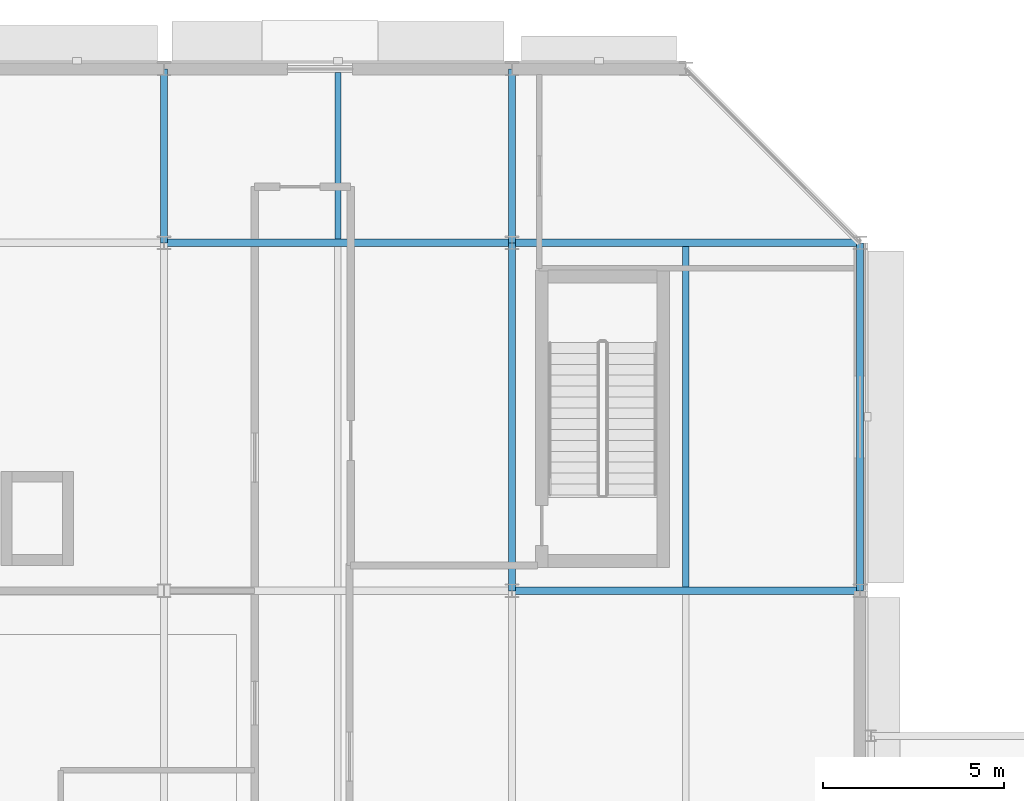
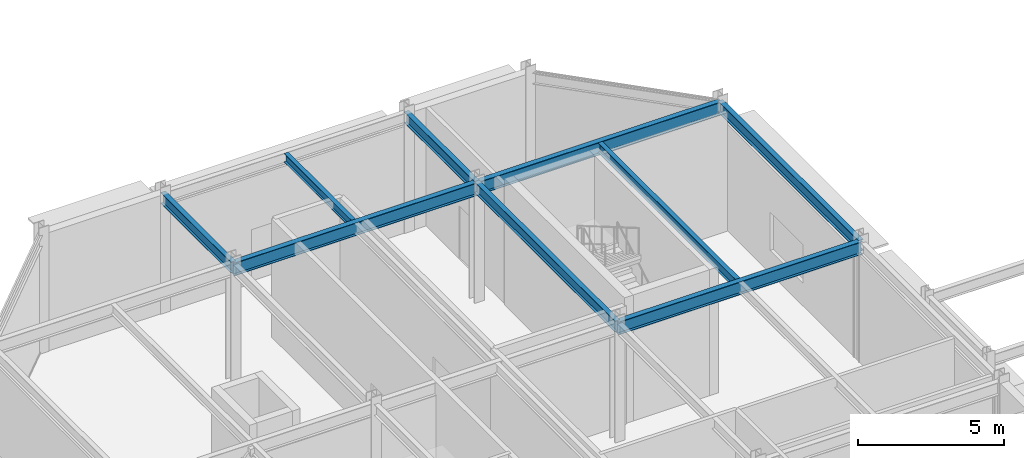
# One storey, part 74 of 168: 9 beams.
"""IFC4 building model written with IfcOpenShell, lengths in metres."""

from ifc_helpers import new_model, si_unit, direction, frame, origin, origin_2d, place, context, subcontext, project, spatial, i_section, extrude, material, material_profile, profile_set, type_object, element, save


model = new_model("IFC4")

# Units and contexts
model_context = context("Model", 3, precision=1e-05, world=origin(), true_north=direction((0.0, 1.0)))
body_context = subcontext(model_context, "Body", "Model", "MODEL_VIEW")
ifc_project = project(units=[si_unit("LENGTHUNIT", "METRE"), si_unit("AREAUNIT", "SQUARE_METRE"), si_unit("VOLUMEUNIT", "CUBIC_METRE"), si_unit("PLANEANGLEUNIT", "RADIAN"), si_unit("MASSUNIT", "GRAM", prefix="KILO")], contexts=[model_context])

# Site, building, storey
site_placement = place(None, origin())
site = spatial("IfcSite", under=ifc_project, at=site_placement, CompositionType="ELEMENT")
building_placement = place(site_placement, origin())
building = spatial("IfcBuilding", under=site, at=building_placement, Name="Almandine Court Research Institute", CompositionType="ELEMENT")
storey_placement = place(building_placement, origin())
storey = spatial("IfcBuildingStorey", under=building, at=storey_placement, Name="L00", CompositionType="ELEMENT", Elevation=0.0)

# Beams
ifc_material = material(Name="Steel ASTM A992 Grade 50", Category="steel")
ifc_material_profile_1 = material_profile(ifc_material, i_section(OverallWidth=0.18994140625, OverallDepth=0.45703125, WebThickness=0.009033203125, FlangeThickness=0.014892578125, at=origin_2d()), Name="W460x74")
ifc_profile_set_1 = profile_set([ifc_material_profile_1], Name="Steel ASTM A992 Grade 50")
beam_type_1 = type_object("IfcBeamType", Name="Beam-B-01", PredefinedType="BEAM", material=ifc_profile_set_1)
beam_1_placement = place(storey_placement, frame((25.199951171875, 103.199951171875, 4.700927734375), z_axis=(0.0, 1.0, 0.0), x_axis=(-1.0, 0.0, 0.0)))
element("IfcBeam", 1, at=beam_1_placement, inside=storey, type_object=beam_type_1, Name="L00 V3 Primary Y Girder", PredefinedType="BEAM", context=body_context, shape_type="SweptSolid", body=[
    extrude(i_section(OverallWidth=0.18994140625, OverallDepth=0.45703125, WebThickness=0.009033203125, FlangeThickness=0.014892578125, at=origin_2d()), origin(), (0.0, 0.0, 1.0), 9.60009765625),
])
for number, where, z_axis, x_axis, name in (
    (2, (15.60009765625, 112.800048828125, 4.700927734375), (0.0, 1.0, 0.0), (-1.0, 0.0, 0.0), "L00 V3 Primary Y Girder"),
    (3, (25.199951171875, 112.800048828125, 4.700927734375), (0.0, 1.0, 0.0), (-1.0, 0.0, 0.0), "L00 V3 Primary Y Girder"),
):
    element("IfcBeam", number, at=place(storey_placement, frame(where, z_axis=z_axis, x_axis=x_axis)), inside=storey, type_object=beam_type_1, Name=name, PredefinedType="BEAM", context=body_context, shape_type="SweptSolid", body=[
        extrude(i_section(OverallWidth=0.18994140625, OverallDepth=0.45703125, WebThickness=0.009033203125, FlangeThickness=0.014892578125, at=origin_2d()), origin(), (0.0, 0.0, 1.0), 4.800048828125),
    ])
ifc_material_profile_2 = material_profile(ifc_material, i_section(OverallWidth=0.178955078125, OverallDepth=0.409912109375, WebThickness=0.009033203125, FlangeThickness=0.013916015625, at=origin_2d()), Name="W410x67")
ifc_profile_set_2 = profile_set([ifc_material_profile_2], Name="Steel ASTM A992 Grade 50")
beam_type_2 = type_object("IfcBeamType", Name="Beam-B-02", PredefinedType="JOIST", material=ifc_profile_set_2)
beam_2_placement = place(storey_placement, frame((30.0, 103.302978515625, 4.72509765625), z_axis=(0.0, 1.0, 0.0), x_axis=(-1.0, 0.0, 0.0)))
element("IfcBeam", 4, at=beam_2_placement, inside=storey, type_object=beam_type_2, Name="L00 V3 Composite Secondary Beam", PredefinedType="JOIST", context=body_context, shape_type="SweptSolid", body=[
    extrude(i_section(OverallWidth=0.178955078125, OverallDepth=0.409912109375, WebThickness=0.009033203125, FlangeThickness=0.013916015625, at=origin_2d()), origin(), (0.0, 0.0, 1.0), 9.39404296875),
])
ifc_material_profile_3 = material_profile(ifc_material, i_section(OverallWidth=0.172119140625, OverallDepth=0.35791015625, WebThickness=0.008056640625, FlangeThickness=0.012939453125, at=origin_2d()), Name="W360x57")
ifc_profile_set_3 = profile_set([ifc_material_profile_3], Name="Steel ASTM A992 Grade 50")
beam_type_3 = type_object("IfcBeamType", Name="Beam-B-03", PredefinedType="JOIST", material=ifc_profile_set_3)
beam_3_placement = place(storey_placement, frame((20.39990234375, 112.903076171875, 4.7509765625), z_axis=(0.0, 1.0, 0.0), x_axis=(-1.0, 0.0, 0.0)))
element("IfcBeam", 5, at=beam_3_placement, inside=storey, type_object=beam_type_3, Name="L00 V3 Composite Secondary Beam", PredefinedType="JOIST", context=body_context, shape_type="SweptSolid", body=[
    extrude(i_section(OverallWidth=0.172119140625, OverallDepth=0.35791015625, WebThickness=0.008056640625, FlangeThickness=0.012939453125, at=origin_2d()), origin(), (0.0, 0.0, 1.0), 4.601806640625),
])
ifc_material_profile_4 = material_profile(ifc_material, i_section(OverallWidth=0.2109375, OverallDepth=0.5390625, WebThickness=0.011962890625, FlangeThickness=0.01904296875, at=origin_2d()), Name="W530x109")
ifc_profile_set_4 = profile_set([ifc_material_profile_4], Name="Steel ASTM A992 Grade 50")
beam_type_4 = type_object("IfcBeamType", Name="Beam-G-04", PredefinedType="BEAM", material=ifc_profile_set_4)
beam_4_placement = place(storey_placement, frame((25.199951171875, 103.199951171875, 4.659912109375), z_axis=(1.0, 0.0, 0.0), x_axis=(0.0, 1.0, 0.0)))
element("IfcBeam", 6, at=beam_4_placement, inside=storey, type_object=beam_type_4, Name="L00 V3 Primary X Girder", PredefinedType="BEAM", context=body_context, shape_type="SweptSolid", body=[
    extrude(i_section(OverallWidth=0.2109375, OverallDepth=0.5390625, WebThickness=0.011962890625, FlangeThickness=0.01904296875, at=origin_2d()), origin(), (0.0, 0.0, 1.0), 9.60009765625),
])
beam_5_placement = place(storey_placement, frame((15.60009765625, 112.800048828125, 4.659912109375), z_axis=(1.0, 0.0, 0.0), x_axis=(0.0, 1.0, 0.0)))
element("IfcBeam", 7, at=beam_5_placement, inside=storey, type_object=beam_type_4, Name="L00 V3 Primary X Girder", PredefinedType="BEAM", context=body_context, shape_type="SweptSolid", body=[
    extrude(i_section(OverallWidth=0.2109375, OverallDepth=0.5390625, WebThickness=0.011962890625, FlangeThickness=0.01904296875, at=origin_2d()), origin(), (0.0, 0.0, 1.0), 9.599853515625),
])
beam_6_placement = place(storey_placement, frame((25.199951171875, 112.800048828125, 4.659912109375), z_axis=(1.0, 0.0, 0.0), x_axis=(0.0, 1.0, 0.0)))
element("IfcBeam", 8, at=beam_6_placement, inside=storey, type_object=beam_type_4, Name="L00 V3 Primary X Girder", PredefinedType="BEAM", context=body_context, shape_type="SweptSolid", body=[
    extrude(i_section(OverallWidth=0.2109375, OverallDepth=0.5390625, WebThickness=0.011962890625, FlangeThickness=0.01904296875, at=origin_2d()), origin(), (0.0, 0.0, 1.0), 9.60009765625),
])
ifc_material_profile_5 = material_profile(ifc_material, i_section(OverallWidth=0.193115234375, OverallDepth=0.466064453125, WebThickness=0.010986328125, FlangeThickness=0.01904296875, at=origin_2d()), Name="W460x97")
ifc_profile_set_5 = profile_set([ifc_material_profile_5], Name="Steel ASTM A992 Grade 50")
beam_type_5 = type_object("IfcBeamType", Name="Beam-G-06-E", PredefinedType="SPANDREL", material=ifc_profile_set_5)
beam_7_placement = place(storey_placement, frame((34.800048828125, 103.199951171875, 4.697021484375), z_axis=(0.0, 1.0, 0.0), x_axis=(-1.0, 0.0, 0.0)))
element("IfcBeam", 9, at=beam_7_placement, inside=storey, type_object=beam_type_5, Name="L00 V3 Primary Y Girder", PredefinedType="SPANDREL", context=body_context, shape_type="SweptSolid", body=[
    extrude(i_section(OverallWidth=0.193115234375, OverallDepth=0.466064453125, WebThickness=0.010986328125, FlangeThickness=0.01904296875, at=origin_2d()), origin(), (0.0, 0.0, 1.0), 9.60009765625),
])

save(model, "model.ifc")
